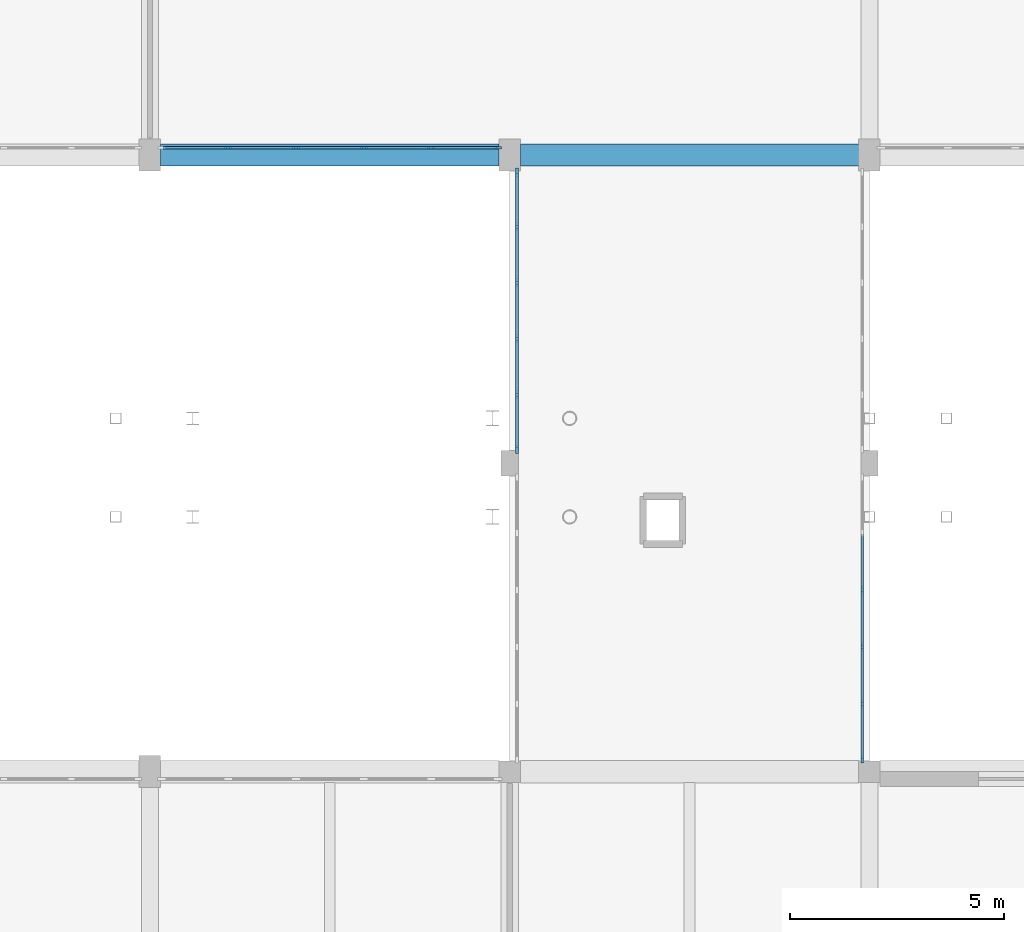
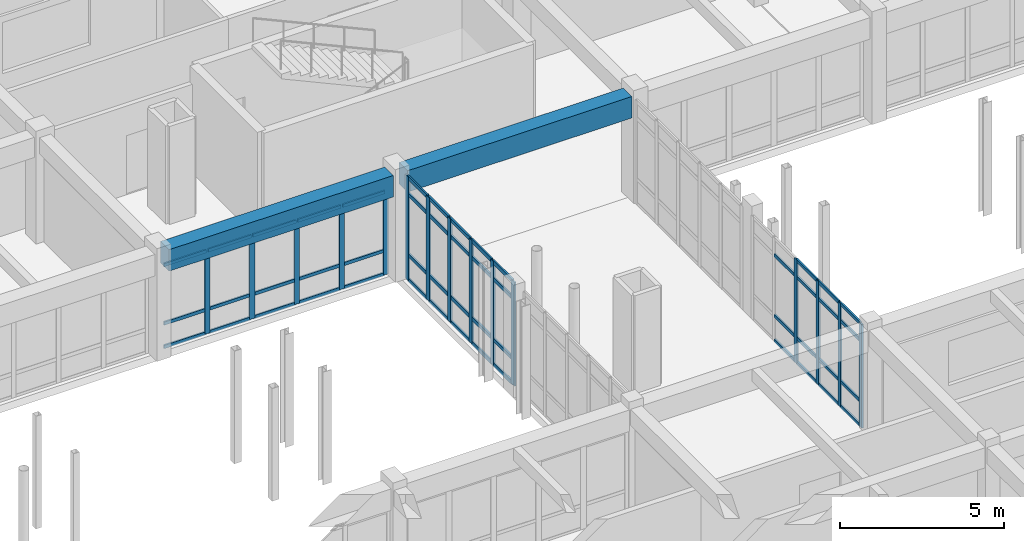
# One storey, part 65 of 147: 65 members, 2 beams, 3 elements without a shape of their own.
"""IFC4 building model written with IfcOpenShell, lengths in metres."""

from ifc_helpers import new_model, si_unit, direction, frame, origin, origin_2d, place, context, subcontext, project, spatial, rectangle, extrude, material, material_profile, profile_set, type_object, element, aggregate, save


model = new_model("IFC4")

# Units and contexts
model_context = context("Model", 3, precision=1e-05, world=origin(), true_north=direction((0.0, 1.0)))
body_context = subcontext(model_context, "Body", "Model", "MODEL_VIEW")
ifc_project = project(units=[si_unit("LENGTHUNIT", "METRE"), si_unit("AREAUNIT", "SQUARE_METRE"), si_unit("VOLUMEUNIT", "CUBIC_METRE"), si_unit("PLANEANGLEUNIT", "RADIAN"), si_unit("MASSUNIT", "GRAM", prefix="KILO")], contexts=[model_context])

# Site, building, storey
site_placement = place(None, origin())
site = spatial("IfcSite", under=ifc_project, at=site_placement, CompositionType="ELEMENT")
building_placement = place(site_placement, origin())
building = spatial("IfcBuilding", under=site, at=building_placement, Name="Malvenik Polytechnic", CompositionType="ELEMENT")
storey_placement = place(building_placement, frame((0.0, 0.0, 5.10009765625)))
storey = spatial("IfcBuildingStorey", under=building, at=storey_placement, Name="L01", CompositionType="ELEMENT", Elevation=5.10009765625)

# Curtain wall, members
ifc_material_1 = material(Name="Anodised aluminium 6060-T6", Category="aluminium")
curtain_wall_type_1 = type_object("IfcCurtainWallType", Name="ARC-CW-CW-04", PredefinedType="NOTDEFINED", material=ifc_material_1)
curtain_wall_1_placement = place(storey_placement, origin())
curtain_wall_1 = element("IfcCurtainWall", 1, at=curtain_wall_1_placement, inside=storey, type_object=curtain_wall_type_1, Name="Unitised Curtain Wall CW-04 L01 #83", PredefinedType="NOTDEFINED")
ifc_material_2 = material(Name="Anodised aluminium", Category="aluminium")
ifc_material_profile_1 = material_profile(ifc_material_2, rectangle(XDim=0.06005859375, YDim=0.159912109375, at=origin_2d()), Name="ALU MULLION 60x160")
ifc_profile_set_1 = profile_set([ifc_material_profile_1], Name="Anodised aluminium")
member_type_1 = type_object("IfcMemberType", Name="ARC-CWM-160", PredefinedType="MULLION", material=ifc_profile_set_1)
member_1_placement = place(storey_placement, frame((83.830078125, 69.040283203125, 0.0), z_axis=(0.0, 0.0, 1.0), x_axis=(1.0, 0.0, 0.0)))
member_1 = element("IfcMember", 2, at=member_1_placement, type_object=member_type_1, Name="CW-04 mullion 3", PredefinedType="MULLION", context=body_context, shape_type="SweptSolid", body=[
    extrude(rectangle(XDim=0.06005859375, YDim=0.159912109375, at=origin_2d()), origin(), (0.0, 0.0, 1.0), 3.85986328125),
])
member_2_placement = place(storey_placement, frame((83.830078125, 67.709716796875, 0.0), z_axis=(0.0, 0.0, 1.0), x_axis=(1.0, 0.0, 0.0)))
member_2 = element("IfcMember", 3, at=member_2_placement, type_object=member_type_1, Name="CW-04 mullion 4", PredefinedType="MULLION", context=body_context, shape_type="SweptSolid", body=[
    extrude(rectangle(XDim=0.06005859375, YDim=0.159912109375, at=origin_2d()), origin(), (0.0, 0.0, 1.0), 3.85986328125),
])
member_3_placement = place(storey_placement, frame((83.830078125, 66.37890625, 0.0), z_axis=(0.0, 0.0, 1.0), x_axis=(1.0, 0.0, 0.0)))
member_3 = element("IfcMember", 4, at=member_3_placement, type_object=member_type_1, Name="CW-04 mullion 5", PredefinedType="MULLION", context=body_context, shape_type="SweptSolid", body=[
    extrude(rectangle(XDim=0.06005859375, YDim=0.159912109375, at=origin_2d()), origin(), (0.0, 0.0, 1.0), 3.85986328125),
])
member_4_placement = place(storey_placement, frame((83.830078125, 65.077880859375, 0.0), z_axis=(0.0, 0.0, 1.0), x_axis=(1.0, 0.0, 0.0)))
member_4 = element("IfcMember", 5, at=member_4_placement, type_object=member_type_1, Name="CW-04 mullion 6", PredefinedType="MULLION", context=body_context, shape_type="SweptSolid", body=[
    extrude(rectangle(XDim=0.06005859375, YDim=0.159912109375, at=origin_2d()), origin(), (0.0, 0.0, 1.0), 3.85986328125),
])

curtain_wall_type_2 = type_object("IfcCurtainWallType", Name="ARC-CW-CW-02", PredefinedType="NOTDEFINED", material=ifc_material_1)
curtain_wall_2_placement = place(storey_placement, origin())
curtain_wall_2 = element("IfcCurtainWall", 6, at=curtain_wall_2_placement, inside=storey, type_object=curtain_wall_type_2, Name="Unitised Curtain Wall CW-02 L01 #25", PredefinedType="NOTDEFINED")
ifc_material_profile_2 = material_profile(ifc_material_2, rectangle(XDim=0.06005859375, YDim=0.179931640625, at=origin_2d()), Name="ALU MULLION 60x180")
ifc_profile_set_2 = profile_set([ifc_material_profile_2], Name="Anodised aluminium")
member_type_2 = type_object("IfcMemberType", Name="ARC-CWM-180", PredefinedType="MULLION", material=ifc_profile_set_2)
member_5_placement = place(storey_placement, frame((75.322021484375, 79.3701171875, 0.0), z_axis=(0.0, 0.0, 1.0), x_axis=(0.0, -1.0, 0.0)))
member_5 = element("IfcMember", 7, at=member_5_placement, type_object=member_type_2, Name="CW-02 mullion 1", PredefinedType="MULLION", context=body_context, shape_type="SweptSolid", body=[
    extrude(rectangle(XDim=0.06005859375, YDim=0.179931640625, at=origin_2d()), origin(), (0.0, 0.0, 1.0), 3.10986328125),
])
member_6_placement = place(storey_placement, frame((73.771240234375, 79.3701171875, 0.0), z_axis=(0.0, 0.0, 1.0), x_axis=(0.0, -1.0, 0.0)))
member_6 = element("IfcMember", 8, at=member_6_placement, type_object=member_type_2, Name="CW-02 mullion 2", PredefinedType="MULLION", context=body_context, shape_type="SweptSolid", body=[
    extrude(rectangle(XDim=0.06005859375, YDim=0.179931640625, at=origin_2d()), origin(), (0.0, 0.0, 1.0), 3.10986328125),
])
member_7_placement = place(storey_placement, frame((72.1904296875, 79.3701171875, 0.0), z_axis=(0.0, 0.0, 1.0), x_axis=(0.0, -1.0, 0.0)))
member_7 = element("IfcMember", 9, at=member_7_placement, type_object=member_type_2, Name="CW-02 mullion 3", PredefinedType="MULLION", context=body_context, shape_type="SweptSolid", body=[
    extrude(rectangle(XDim=0.06005859375, YDim=0.179931640625, at=origin_2d()), origin(), (0.0, 0.0, 1.0), 3.10986328125),
])
member_8_placement = place(storey_placement, frame((70.609619140625, 79.3701171875, 0.0), z_axis=(0.0, 0.0, 1.0), x_axis=(0.0, -1.0, 0.0)))
member_8 = element("IfcMember", 10, at=member_8_placement, type_object=member_type_2, Name="CW-02 mullion 4", PredefinedType="MULLION", context=body_context, shape_type="SweptSolid", body=[
    extrude(rectangle(XDim=0.06005859375, YDim=0.179931640625, at=origin_2d()), origin(), (0.0, 0.0, 1.0), 3.10986328125),
])
member_9_placement = place(storey_placement, frame((69.02880859375, 79.3701171875, 0.0), z_axis=(0.0, 0.0, 1.0), x_axis=(0.0, -1.0, 0.0)))
member_9 = element("IfcMember", 11, at=member_9_placement, type_object=member_type_2, Name="CW-02 mullion 5", PredefinedType="MULLION", context=body_context, shape_type="SweptSolid", body=[
    extrude(rectangle(XDim=0.06005859375, YDim=0.179931640625, at=origin_2d()), origin(), (0.0, 0.0, 1.0), 3.10986328125),
])

curtain_wall_3_placement = place(storey_placement, origin())
curtain_wall_3 = element("IfcCurtainWall", 12, at=curtain_wall_3_placement, inside=storey, type_object=curtain_wall_type_1, Name="Unitised Curtain Wall CW-04 L01 #24", PredefinedType="NOTDEFINED")
ifc_material_profile_3 = material_profile(ifc_material_2, rectangle(XDim=0.06005859375, YDim=0.199951171875, at=origin_2d()), Name="ALU MULLION 60x200")
ifc_profile_set_3 = profile_set([ifc_material_profile_3], Name="Anodised aluminium")
member_type_3 = type_object("IfcMemberType", Name="ARC-CWM-200", PredefinedType="MULLION", material=ifc_profile_set_3)
member_10_placement = place(storey_placement, frame((75.77001953125, 72.327880859375, 0.0), z_axis=(0.0, 0.0, 1.0), x_axis=(-1.0, 0.0, 0.0)))
member_10 = element("IfcMember", 13, at=member_10_placement, type_object=member_type_3, Name="CW-04 mullion 1", PredefinedType="MULLION", context=body_context, shape_type="SweptSolid", body=[
    extrude(rectangle(XDim=0.06005859375, YDim=0.199951171875, at=origin_2d()), origin(), (0.0, 0.0, 1.0), 3.85986328125),
])
member_11_placement = place(storey_placement, frame((75.77001953125, 73.603759765625, 0.0), z_axis=(0.0, 0.0, 1.0), x_axis=(-1.0, 0.0, 0.0)))
member_11 = element("IfcMember", 14, at=member_11_placement, type_object=member_type_3, Name="CW-04 mullion 2", PredefinedType="MULLION", context=body_context, shape_type="SweptSolid", body=[
    extrude(rectangle(XDim=0.06005859375, YDim=0.199951171875, at=origin_2d()), origin(), (0.0, 0.0, 1.0), 3.85986328125),
])
member_12_placement = place(storey_placement, frame((75.77001953125, 74.90966796875, 0.0), z_axis=(0.0, 0.0, 1.0), x_axis=(-1.0, 0.0, 0.0)))
member_12 = element("IfcMember", 15, at=member_12_placement, type_object=member_type_3, Name="CW-04 mullion 3", PredefinedType="MULLION", context=body_context, shape_type="SweptSolid", body=[
    extrude(rectangle(XDim=0.06005859375, YDim=0.199951171875, at=origin_2d()), origin(), (0.0, 0.0, 1.0), 3.85986328125),
])
member_13_placement = place(storey_placement, frame((75.77001953125, 76.21533203125, 0.0), z_axis=(0.0, 0.0, 1.0), x_axis=(-1.0, 0.0, 0.0)))
member_13 = element("IfcMember", 16, at=member_13_placement, type_object=member_type_3, Name="CW-04 mullion 4", PredefinedType="MULLION", context=body_context, shape_type="SweptSolid", body=[
    extrude(rectangle(XDim=0.06005859375, YDim=0.199951171875, at=origin_2d()), origin(), (0.0, 0.0, 1.0), 3.85986328125),
])
member_14_placement = place(storey_placement, frame((75.77001953125, 77.521240234375, 0.0), z_axis=(0.0, 0.0, 1.0), x_axis=(-1.0, 0.0, 0.0)))
member_14 = element("IfcMember", 17, at=member_14_placement, type_object=member_type_3, Name="CW-04 mullion 5", PredefinedType="MULLION", context=body_context, shape_type="SweptSolid", body=[
    extrude(rectangle(XDim=0.06005859375, YDim=0.199951171875, at=origin_2d()), origin(), (0.0, 0.0, 1.0), 3.85986328125),
])
member_15_placement = place(storey_placement, frame((75.77001953125, 78.797119140625, 0.0), z_axis=(0.0, 0.0, 1.0), x_axis=(-1.0, 0.0, 0.0)))
member_15 = element("IfcMember", 18, at=member_15_placement, type_object=member_type_3, Name="CW-04 mullion 6", PredefinedType="MULLION", context=body_context, shape_type="SweptSolid", body=[
    extrude(rectangle(XDim=0.06005859375, YDim=0.199951171875, at=origin_2d()), origin(), (0.0, 0.0, 1.0), 3.85986328125),
])

# Member
ifc_material_profile_4 = material_profile(ifc_material_2, rectangle(XDim=0.06005859375, YDim=0.1201171875, at=origin_2d()), Name="ALU TRANSOM 60x120")
ifc_profile_set_4 = profile_set([ifc_material_profile_4], Name="Anodised aluminium")
member_type_4 = type_object("IfcMemberType", Name="ARC-CWT-120", PredefinedType="USERDEFINED", material=ifc_profile_set_4)
member_16_placement = place(storey_placement, frame((75.2919921875, 79.3701171875, 0.02978515625), z_axis=(-1.0, 0.0, 0.0), x_axis=(0.0, -1.0, 0.0)))
member_16 = element("IfcMember", 19, at=member_16_placement, type_object=member_type_4, Name="CW-02 transom 1.1", ObjectType="TRANSOM", PredefinedType="USERDEFINED", context=body_context, shape_type="SweptSolid", body=[
    extrude(rectangle(XDim=0.06005859375, YDim=0.1201171875, at=origin_2d()), origin(), (0.0, 0.0, 1.0), 1.49072265625),
])

member_17_placement = place(storey_placement, frame((75.2919921875, 79.3701171875, 0.89990234375), z_axis=(-1.0, 0.0, 0.0), x_axis=(0.0, -1.0, 0.0)))
member_17 = element("IfcMember", 20, at=member_17_placement, type_object=member_type_4, Name="CW-02 transom 1.2", ObjectType="TRANSOM", PredefinedType="USERDEFINED", context=body_context, shape_type="SweptSolid", body=[
    extrude(rectangle(XDim=0.06005859375, YDim=0.1201171875, at=origin_2d()), origin(), (0.0, 0.0, 1.0), 1.49072265625),
])

member_18_placement = place(storey_placement, frame((75.2919921875, 79.3701171875, 3.079833984375), z_axis=(-1.0, 0.0, 0.0), x_axis=(0.0, -1.0, 0.0)))
member_18 = element("IfcMember", 21, at=member_18_placement, type_object=member_type_4, Name="CW-02 transom 1.3", ObjectType="TRANSOM", PredefinedType="USERDEFINED", context=body_context, shape_type="SweptSolid", body=[
    extrude(rectangle(XDim=0.06005859375, YDim=0.1201171875, at=origin_2d()), origin(), (0.0, 0.0, 1.0), 1.49072265625),
])

member_19_placement = place(storey_placement, frame((73.7412109375, 79.3701171875, 0.02978515625), z_axis=(-1.0, 0.0, 0.0), x_axis=(0.0, -1.0, 0.0)))
member_19 = element("IfcMember", 22, at=member_19_placement, type_object=member_type_4, Name="CW-02 transom 2.1", ObjectType="TRANSOM", PredefinedType="USERDEFINED", context=body_context, shape_type="SweptSolid", body=[
    extrude(rectangle(XDim=0.06005859375, YDim=0.1201171875, at=origin_2d()), origin(), (0.0, 0.0, 1.0), 1.520751953125),
])

member_20_placement = place(storey_placement, frame((73.7412109375, 79.3701171875, 0.89990234375), z_axis=(-1.0, 0.0, 0.0), x_axis=(0.0, -1.0, 0.0)))
member_20 = element("IfcMember", 23, at=member_20_placement, type_object=member_type_4, Name="CW-02 transom 2.2", ObjectType="TRANSOM", PredefinedType="USERDEFINED", context=body_context, shape_type="SweptSolid", body=[
    extrude(rectangle(XDim=0.06005859375, YDim=0.1201171875, at=origin_2d()), origin(), (0.0, 0.0, 1.0), 1.520751953125),
])

member_21_placement = place(storey_placement, frame((73.7412109375, 79.3701171875, 3.079833984375), z_axis=(-1.0, 0.0, 0.0), x_axis=(0.0, -1.0, 0.0)))
member_21 = element("IfcMember", 24, at=member_21_placement, type_object=member_type_4, Name="CW-02 transom 2.3", ObjectType="TRANSOM", PredefinedType="USERDEFINED", context=body_context, shape_type="SweptSolid", body=[
    extrude(rectangle(XDim=0.06005859375, YDim=0.1201171875, at=origin_2d()), origin(), (0.0, 0.0, 1.0), 1.520751953125),
])

member_22_placement = place(storey_placement, frame((72.160400390625, 79.3701171875, 0.02978515625), z_axis=(-1.0, 0.0, 0.0), x_axis=(0.0, -1.0, 0.0)))
member_22 = element("IfcMember", 25, at=member_22_placement, type_object=member_type_4, Name="CW-02 transom 3.1", ObjectType="TRANSOM", PredefinedType="USERDEFINED", context=body_context, shape_type="SweptSolid", body=[
    extrude(rectangle(XDim=0.06005859375, YDim=0.1201171875, at=origin_2d()), origin(), (0.0, 0.0, 1.0), 1.520751953125),
])

member_23_placement = place(storey_placement, frame((72.160400390625, 79.3701171875, 0.89990234375), z_axis=(-1.0, 0.0, 0.0), x_axis=(0.0, -1.0, 0.0)))
member_23 = element("IfcMember", 26, at=member_23_placement, type_object=member_type_4, Name="CW-02 transom 3.2", ObjectType="TRANSOM", PredefinedType="USERDEFINED", context=body_context, shape_type="SweptSolid", body=[
    extrude(rectangle(XDim=0.06005859375, YDim=0.1201171875, at=origin_2d()), origin(), (0.0, 0.0, 1.0), 1.520751953125),
])

member_24_placement = place(storey_placement, frame((72.160400390625, 79.3701171875, 3.079833984375), z_axis=(-1.0, 0.0, 0.0), x_axis=(0.0, -1.0, 0.0)))
member_24 = element("IfcMember", 27, at=member_24_placement, type_object=member_type_4, Name="CW-02 transom 3.3", ObjectType="TRANSOM", PredefinedType="USERDEFINED", context=body_context, shape_type="SweptSolid", body=[
    extrude(rectangle(XDim=0.06005859375, YDim=0.1201171875, at=origin_2d()), origin(), (0.0, 0.0, 1.0), 1.520751953125),
])

member_25_placement = place(storey_placement, frame((70.57958984375, 79.3701171875, 0.02978515625), z_axis=(-1.0, 0.0, 0.0), x_axis=(0.0, -1.0, 0.0)))
member_25 = element("IfcMember", 28, at=member_25_placement, type_object=member_type_4, Name="CW-02 transom 4.1", ObjectType="TRANSOM", PredefinedType="USERDEFINED", context=body_context, shape_type="SweptSolid", body=[
    extrude(rectangle(XDim=0.06005859375, YDim=0.1201171875, at=origin_2d()), origin(), (0.0, 0.0, 1.0), 1.520751953125),
])

member_26_placement = place(storey_placement, frame((70.57958984375, 79.3701171875, 0.89990234375), z_axis=(-1.0, 0.0, 0.0), x_axis=(0.0, -1.0, 0.0)))
member_26 = element("IfcMember", 29, at=member_26_placement, type_object=member_type_4, Name="CW-02 transom 4.2", ObjectType="TRANSOM", PredefinedType="USERDEFINED", context=body_context, shape_type="SweptSolid", body=[
    extrude(rectangle(XDim=0.06005859375, YDim=0.1201171875, at=origin_2d()), origin(), (0.0, 0.0, 1.0), 1.520751953125),
])

member_27_placement = place(storey_placement, frame((70.57958984375, 79.3701171875, 3.079833984375), z_axis=(-1.0, 0.0, 0.0), x_axis=(0.0, -1.0, 0.0)))
member_27 = element("IfcMember", 30, at=member_27_placement, type_object=member_type_4, Name="CW-02 transom 4.3", ObjectType="TRANSOM", PredefinedType="USERDEFINED", context=body_context, shape_type="SweptSolid", body=[
    extrude(rectangle(XDim=0.06005859375, YDim=0.1201171875, at=origin_2d()), origin(), (0.0, 0.0, 1.0), 1.520751953125),
])

member_28_placement = place(storey_placement, frame((68.998779296875, 79.3701171875, 0.02978515625), z_axis=(-1.0, 0.0, 0.0), x_axis=(0.0, -1.0, 0.0)))
member_28 = element("IfcMember", 31, at=member_28_placement, type_object=member_type_4, Name="CW-02 transom 5.1", ObjectType="TRANSOM", PredefinedType="USERDEFINED", context=body_context, shape_type="SweptSolid", body=[
    extrude(rectangle(XDim=0.06005859375, YDim=0.1201171875, at=origin_2d()), origin(), (0.0, 0.0, 1.0), 1.49072265625),
])

member_29_placement = place(storey_placement, frame((68.998779296875, 79.3701171875, 0.89990234375), z_axis=(-1.0, 0.0, 0.0), x_axis=(0.0, -1.0, 0.0)))
member_29 = element("IfcMember", 32, at=member_29_placement, type_object=member_type_4, Name="CW-02 transom 5.2", ObjectType="TRANSOM", PredefinedType="USERDEFINED", context=body_context, shape_type="SweptSolid", body=[
    extrude(rectangle(XDim=0.06005859375, YDim=0.1201171875, at=origin_2d()), origin(), (0.0, 0.0, 1.0), 1.49072265625),
])

member_30_placement = place(storey_placement, frame((68.998779296875, 79.3701171875, 3.079833984375), z_axis=(-1.0, 0.0, 0.0), x_axis=(0.0, -1.0, 0.0)))
member_30 = element("IfcMember", 33, at=member_30_placement, type_object=member_type_4, Name="CW-02 transom 5.3", ObjectType="TRANSOM", PredefinedType="USERDEFINED", context=body_context, shape_type="SweptSolid", body=[
    extrude(rectangle(XDim=0.06005859375, YDim=0.1201171875, at=origin_2d()), origin(), (0.0, 0.0, 1.0), 1.49072265625),
])

aggregate(curtain_wall_2, [member_5, member_6, member_7, member_8, member_9, member_16, member_17, member_18, member_19, member_20, member_21, member_22, member_23, member_24, member_25, member_26, member_27, member_28, member_29, member_30])

member_31_placement = place(storey_placement, frame((83.830078125, 70.34130859375, 0.02978515625), z_axis=(0.0, -1.0, 0.0), x_axis=(1.0, 0.0, 0.0)))
member_31 = element("IfcMember", 34, at=member_31_placement, type_object=member_type_4, Name="CW-04 transom 2.1", ObjectType="TRANSOM", PredefinedType="USERDEFINED", context=body_context, shape_type="SweptSolid", body=[
    extrude(rectangle(XDim=0.06005859375, YDim=0.1201171875, at=origin_2d()), origin(), (0.0, 0.0, 1.0), 1.27099609375),
])

member_32_placement = place(storey_placement, frame((83.830078125, 70.34130859375, 0.949951171875), z_axis=(0.0, -1.0, 0.0), x_axis=(1.0, 0.0, 0.0)))
member_32 = element("IfcMember", 35, at=member_32_placement, type_object=member_type_4, Name="CW-04 transom 2.2", ObjectType="TRANSOM", PredefinedType="USERDEFINED", context=body_context, shape_type="SweptSolid", body=[
    extrude(rectangle(XDim=0.06005859375, YDim=0.1201171875, at=origin_2d()), origin(), (0.0, 0.0, 1.0), 1.27099609375),
])

member_33_placement = place(storey_placement, frame((83.830078125, 70.34130859375, 3.2099609375), z_axis=(0.0, -1.0, 0.0), x_axis=(1.0, 0.0, 0.0)))
member_33 = element("IfcMember", 36, at=member_33_placement, type_object=member_type_4, Name="CW-04 transom 2.3", ObjectType="TRANSOM", PredefinedType="USERDEFINED", context=body_context, shape_type="SweptSolid", body=[
    extrude(rectangle(XDim=0.06005859375, YDim=0.1201171875, at=origin_2d()), origin(), (0.0, 0.0, 1.0), 1.27099609375),
])

member_34_placement = place(storey_placement, frame((83.830078125, 69.010498046875, 0.02978515625), z_axis=(0.0, -1.0, 0.0), x_axis=(1.0, 0.0, 0.0)))
member_34 = element("IfcMember", 37, at=member_34_placement, type_object=member_type_4, Name="CW-04 transom 3.1", ObjectType="TRANSOM", PredefinedType="USERDEFINED", context=body_context, shape_type="SweptSolid", body=[
    extrude(rectangle(XDim=0.06005859375, YDim=0.1201171875, at=origin_2d()), origin(), (0.0, 0.0, 1.0), 1.27099609375),
])

member_35_placement = place(storey_placement, frame((83.830078125, 69.010498046875, 0.949951171875), z_axis=(0.0, -1.0, 0.0), x_axis=(1.0, 0.0, 0.0)))
member_35 = element("IfcMember", 38, at=member_35_placement, type_object=member_type_4, Name="CW-04 transom 3.2", ObjectType="TRANSOM", PredefinedType="USERDEFINED", context=body_context, shape_type="SweptSolid", body=[
    extrude(rectangle(XDim=0.06005859375, YDim=0.1201171875, at=origin_2d()), origin(), (0.0, 0.0, 1.0), 1.27099609375),
])

member_36_placement = place(storey_placement, frame((83.830078125, 69.010498046875, 3.2099609375), z_axis=(0.0, -1.0, 0.0), x_axis=(1.0, 0.0, 0.0)))
member_36 = element("IfcMember", 39, at=member_36_placement, type_object=member_type_4, Name="CW-04 transom 3.3", ObjectType="TRANSOM", PredefinedType="USERDEFINED", context=body_context, shape_type="SweptSolid", body=[
    extrude(rectangle(XDim=0.06005859375, YDim=0.1201171875, at=origin_2d()), origin(), (0.0, 0.0, 1.0), 1.27099609375),
])

member_37_placement = place(storey_placement, frame((83.830078125, 69.010498046875, 3.829833984375), z_axis=(0.0, -1.0, 0.0), x_axis=(1.0, 0.0, 0.0)))
member_37 = element("IfcMember", 40, at=member_37_placement, type_object=member_type_4, Name="CW-04 transom 3.4", ObjectType="TRANSOM", PredefinedType="USERDEFINED", context=body_context, shape_type="SweptSolid", body=[
    extrude(rectangle(XDim=0.06005859375, YDim=0.1201171875, at=origin_2d()), origin(), (0.0, 0.0, 1.0), 1.27099609375),
])

member_38_placement = place(storey_placement, frame((83.830078125, 67.6796875, 0.02978515625), z_axis=(0.0, -1.0, 0.0), x_axis=(1.0, 0.0, 0.0)))
member_38 = element("IfcMember", 41, at=member_38_placement, type_object=member_type_4, Name="CW-04 transom 4.1", ObjectType="TRANSOM", PredefinedType="USERDEFINED", context=body_context, shape_type="SweptSolid", body=[
    extrude(rectangle(XDim=0.06005859375, YDim=0.1201171875, at=origin_2d()), origin(), (0.0, 0.0, 1.0), 1.27099609375),
])

member_39_placement = place(storey_placement, frame((83.830078125, 67.6796875, 0.949951171875), z_axis=(0.0, -1.0, 0.0), x_axis=(1.0, 0.0, 0.0)))
member_39 = element("IfcMember", 42, at=member_39_placement, type_object=member_type_4, Name="CW-04 transom 4.2", ObjectType="TRANSOM", PredefinedType="USERDEFINED", context=body_context, shape_type="SweptSolid", body=[
    extrude(rectangle(XDim=0.06005859375, YDim=0.1201171875, at=origin_2d()), origin(), (0.0, 0.0, 1.0), 1.27099609375),
])

member_40_placement = place(storey_placement, frame((83.830078125, 67.6796875, 3.2099609375), z_axis=(0.0, -1.0, 0.0), x_axis=(1.0, 0.0, 0.0)))
member_40 = element("IfcMember", 43, at=member_40_placement, type_object=member_type_4, Name="CW-04 transom 4.3", ObjectType="TRANSOM", PredefinedType="USERDEFINED", context=body_context, shape_type="SweptSolid", body=[
    extrude(rectangle(XDim=0.06005859375, YDim=0.1201171875, at=origin_2d()), origin(), (0.0, 0.0, 1.0), 1.27099609375),
])

member_41_placement = place(storey_placement, frame((83.830078125, 67.6796875, 3.829833984375), z_axis=(0.0, -1.0, 0.0), x_axis=(1.0, 0.0, 0.0)))
member_41 = element("IfcMember", 44, at=member_41_placement, type_object=member_type_4, Name="CW-04 transom 4.4", ObjectType="TRANSOM", PredefinedType="USERDEFINED", context=body_context, shape_type="SweptSolid", body=[
    extrude(rectangle(XDim=0.06005859375, YDim=0.1201171875, at=origin_2d()), origin(), (0.0, 0.0, 1.0), 1.27099609375),
])

member_42_placement = place(storey_placement, frame((83.830078125, 66.348876953125, 0.02978515625), z_axis=(0.0, -1.0, 0.0), x_axis=(1.0, 0.0, 0.0)))
member_42 = element("IfcMember", 45, at=member_42_placement, type_object=member_type_4, Name="CW-04 transom 5.1", ObjectType="TRANSOM", PredefinedType="USERDEFINED", context=body_context, shape_type="SweptSolid", body=[
    extrude(rectangle(XDim=0.06005859375, YDim=0.1201171875, at=origin_2d()), origin(), (0.0, 0.0, 1.0), 1.240966796875),
])

member_43_placement = place(storey_placement, frame((83.830078125, 66.348876953125, 0.949951171875), z_axis=(0.0, -1.0, 0.0), x_axis=(1.0, 0.0, 0.0)))
member_43 = element("IfcMember", 46, at=member_43_placement, type_object=member_type_4, Name="CW-04 transom 5.2", ObjectType="TRANSOM", PredefinedType="USERDEFINED", context=body_context, shape_type="SweptSolid", body=[
    extrude(rectangle(XDim=0.06005859375, YDim=0.1201171875, at=origin_2d()), origin(), (0.0, 0.0, 1.0), 1.240966796875),
])

member_44_placement = place(storey_placement, frame((83.830078125, 66.348876953125, 3.2099609375), z_axis=(0.0, -1.0, 0.0), x_axis=(1.0, 0.0, 0.0)))
member_44 = element("IfcMember", 47, at=member_44_placement, type_object=member_type_4, Name="CW-04 transom 5.3", ObjectType="TRANSOM", PredefinedType="USERDEFINED", context=body_context, shape_type="SweptSolid", body=[
    extrude(rectangle(XDim=0.06005859375, YDim=0.1201171875, at=origin_2d()), origin(), (0.0, 0.0, 1.0), 1.240966796875),
])

member_45_placement = place(storey_placement, frame((83.830078125, 66.348876953125, 3.829833984375), z_axis=(0.0, -1.0, 0.0), x_axis=(1.0, 0.0, 0.0)))
member_45 = element("IfcMember", 48, at=member_45_placement, type_object=member_type_4, Name="CW-04 transom 5.4", ObjectType="TRANSOM", PredefinedType="USERDEFINED", context=body_context, shape_type="SweptSolid", body=[
    extrude(rectangle(XDim=0.06005859375, YDim=0.1201171875, at=origin_2d()), origin(), (0.0, 0.0, 1.0), 1.240966796875),
])

aggregate(curtain_wall_1, [member_1, member_2, member_3, member_4, member_31, member_32, member_33, member_34, member_35, member_36, member_37, member_38, member_39, member_40, member_41, member_42, member_43, member_44, member_45])

ifc_material_profile_5 = material_profile(ifc_material_2, rectangle(XDim=0.06005859375, YDim=0.139892578125, at=origin_2d()), Name="ALU TRANSOM 60x140")
ifc_profile_set_5 = profile_set([ifc_material_profile_5], Name="Anodised aluminium")
member_type_5 = type_object("IfcMemberType", Name="ARC-CWT-140", PredefinedType="USERDEFINED", material=ifc_profile_set_5)
member_46_placement = place(storey_placement, frame((75.77001953125, 72.35791015625, 0.02978515625), z_axis=(0.0, 1.0, 0.0), x_axis=(-1.0, 0.0, 0.0)))
member_46 = element("IfcMember", 49, at=member_46_placement, type_object=member_type_5, Name="CW-04 transom 1.1", ObjectType="TRANSOM", PredefinedType="USERDEFINED", context=body_context, shape_type="SweptSolid", body=[
    extrude(rectangle(XDim=0.06005859375, YDim=0.139892578125, at=origin_2d()), origin(), (0.0, 0.0, 1.0), 1.2158203125),
])

member_47_placement = place(storey_placement, frame((75.77001953125, 72.35791015625, 0.949951171875), z_axis=(0.0, 1.0, 0.0), x_axis=(-1.0, 0.0, 0.0)))
member_47 = element("IfcMember", 50, at=member_47_placement, type_object=member_type_5, Name="CW-04 transom 1.2", ObjectType="TRANSOM", PredefinedType="USERDEFINED", context=body_context, shape_type="SweptSolid", body=[
    extrude(rectangle(XDim=0.06005859375, YDim=0.139892578125, at=origin_2d()), origin(), (0.0, 0.0, 1.0), 1.2158203125),
])

member_48_placement = place(storey_placement, frame((75.77001953125, 72.35791015625, 3.2099609375), z_axis=(0.0, 1.0, 0.0), x_axis=(-1.0, 0.0, 0.0)))
member_48 = element("IfcMember", 51, at=member_48_placement, type_object=member_type_5, Name="CW-04 transom 1.3", ObjectType="TRANSOM", PredefinedType="USERDEFINED", context=body_context, shape_type="SweptSolid", body=[
    extrude(rectangle(XDim=0.06005859375, YDim=0.139892578125, at=origin_2d()), origin(), (0.0, 0.0, 1.0), 1.2158203125),
])

member_49_placement = place(storey_placement, frame((75.77001953125, 72.35791015625, 3.829833984375), z_axis=(0.0, 1.0, 0.0), x_axis=(-1.0, 0.0, 0.0)))
member_49 = element("IfcMember", 52, at=member_49_placement, type_object=member_type_5, Name="CW-04 transom 1.4", ObjectType="TRANSOM", PredefinedType="USERDEFINED", context=body_context, shape_type="SweptSolid", body=[
    extrude(rectangle(XDim=0.06005859375, YDim=0.139892578125, at=origin_2d()), origin(), (0.0, 0.0, 1.0), 1.2158203125),
])

member_50_placement = place(storey_placement, frame((75.77001953125, 73.6337890625, 0.02978515625), z_axis=(0.0, 1.0, 0.0), x_axis=(-1.0, 0.0, 0.0)))
member_50 = element("IfcMember", 53, at=member_50_placement, type_object=member_type_5, Name="CW-04 transom 2.1", ObjectType="TRANSOM", PredefinedType="USERDEFINED", context=body_context, shape_type="SweptSolid", body=[
    extrude(rectangle(XDim=0.06005859375, YDim=0.139892578125, at=origin_2d()), origin(), (0.0, 0.0, 1.0), 1.245849609375),
])

member_51_placement = place(storey_placement, frame((75.77001953125, 73.6337890625, 0.949951171875), z_axis=(0.0, 1.0, 0.0), x_axis=(-1.0, 0.0, 0.0)))
member_51 = element("IfcMember", 54, at=member_51_placement, type_object=member_type_5, Name="CW-04 transom 2.2", ObjectType="TRANSOM", PredefinedType="USERDEFINED", context=body_context, shape_type="SweptSolid", body=[
    extrude(rectangle(XDim=0.06005859375, YDim=0.139892578125, at=origin_2d()), origin(), (0.0, 0.0, 1.0), 1.245849609375),
])

member_52_placement = place(storey_placement, frame((75.77001953125, 73.6337890625, 3.2099609375), z_axis=(0.0, 1.0, 0.0), x_axis=(-1.0, 0.0, 0.0)))
member_52 = element("IfcMember", 55, at=member_52_placement, type_object=member_type_5, Name="CW-04 transom 2.3", ObjectType="TRANSOM", PredefinedType="USERDEFINED", context=body_context, shape_type="SweptSolid", body=[
    extrude(rectangle(XDim=0.06005859375, YDim=0.139892578125, at=origin_2d()), origin(), (0.0, 0.0, 1.0), 1.245849609375),
])

member_53_placement = place(storey_placement, frame((75.77001953125, 73.6337890625, 3.829833984375), z_axis=(0.0, 1.0, 0.0), x_axis=(-1.0, 0.0, 0.0)))
member_53 = element("IfcMember", 56, at=member_53_placement, type_object=member_type_5, Name="CW-04 transom 2.4", ObjectType="TRANSOM", PredefinedType="USERDEFINED", context=body_context, shape_type="SweptSolid", body=[
    extrude(rectangle(XDim=0.06005859375, YDim=0.139892578125, at=origin_2d()), origin(), (0.0, 0.0, 1.0), 1.245849609375),
])

member_54_placement = place(storey_placement, frame((75.77001953125, 74.939697265625, 0.02978515625), z_axis=(0.0, 1.0, 0.0), x_axis=(-1.0, 0.0, 0.0)))
member_54 = element("IfcMember", 57, at=member_54_placement, type_object=member_type_5, Name="CW-04 transom 3.1", ObjectType="TRANSOM", PredefinedType="USERDEFINED", context=body_context, shape_type="SweptSolid", body=[
    extrude(rectangle(XDim=0.06005859375, YDim=0.139892578125, at=origin_2d()), origin(), (0.0, 0.0, 1.0), 1.24560546875),
])

member_55_placement = place(storey_placement, frame((75.77001953125, 74.939697265625, 0.949951171875), z_axis=(0.0, 1.0, 0.0), x_axis=(-1.0, 0.0, 0.0)))
member_55 = element("IfcMember", 58, at=member_55_placement, type_object=member_type_5, Name="CW-04 transom 3.2", ObjectType="TRANSOM", PredefinedType="USERDEFINED", context=body_context, shape_type="SweptSolid", body=[
    extrude(rectangle(XDim=0.06005859375, YDim=0.139892578125, at=origin_2d()), origin(), (0.0, 0.0, 1.0), 1.24560546875),
])

member_56_placement = place(storey_placement, frame((75.77001953125, 74.939697265625, 3.2099609375), z_axis=(0.0, 1.0, 0.0), x_axis=(-1.0, 0.0, 0.0)))
member_56 = element("IfcMember", 59, at=member_56_placement, type_object=member_type_5, Name="CW-04 transom 3.3", ObjectType="TRANSOM", PredefinedType="USERDEFINED", context=body_context, shape_type="SweptSolid", body=[
    extrude(rectangle(XDim=0.06005859375, YDim=0.139892578125, at=origin_2d()), origin(), (0.0, 0.0, 1.0), 1.24560546875),
])

member_57_placement = place(storey_placement, frame((75.77001953125, 74.939697265625, 3.829833984375), z_axis=(0.0, 1.0, 0.0), x_axis=(-1.0, 0.0, 0.0)))
member_57 = element("IfcMember", 60, at=member_57_placement, type_object=member_type_5, Name="CW-04 transom 3.4", ObjectType="TRANSOM", PredefinedType="USERDEFINED", context=body_context, shape_type="SweptSolid", body=[
    extrude(rectangle(XDim=0.06005859375, YDim=0.139892578125, at=origin_2d()), origin(), (0.0, 0.0, 1.0), 1.24560546875),
])

member_58_placement = place(storey_placement, frame((75.77001953125, 76.245361328125, 0.02978515625), z_axis=(0.0, 1.0, 0.0), x_axis=(-1.0, 0.0, 0.0)))
member_58 = element("IfcMember", 61, at=member_58_placement, type_object=member_type_5, Name="CW-04 transom 4.1", ObjectType="TRANSOM", PredefinedType="USERDEFINED", context=body_context, shape_type="SweptSolid", body=[
    extrude(rectangle(XDim=0.06005859375, YDim=0.139892578125, at=origin_2d()), origin(), (0.0, 0.0, 1.0), 1.245849609375),
])

member_59_placement = place(storey_placement, frame((75.77001953125, 76.245361328125, 0.949951171875), z_axis=(0.0, 1.0, 0.0), x_axis=(-1.0, 0.0, 0.0)))
member_59 = element("IfcMember", 62, at=member_59_placement, type_object=member_type_5, Name="CW-04 transom 4.2", ObjectType="TRANSOM", PredefinedType="USERDEFINED", context=body_context, shape_type="SweptSolid", body=[
    extrude(rectangle(XDim=0.06005859375, YDim=0.139892578125, at=origin_2d()), origin(), (0.0, 0.0, 1.0), 1.245849609375),
])

member_60_placement = place(storey_placement, frame((75.77001953125, 76.245361328125, 3.2099609375), z_axis=(0.0, 1.0, 0.0), x_axis=(-1.0, 0.0, 0.0)))
member_60 = element("IfcMember", 63, at=member_60_placement, type_object=member_type_5, Name="CW-04 transom 4.3", ObjectType="TRANSOM", PredefinedType="USERDEFINED", context=body_context, shape_type="SweptSolid", body=[
    extrude(rectangle(XDim=0.06005859375, YDim=0.139892578125, at=origin_2d()), origin(), (0.0, 0.0, 1.0), 1.245849609375),
])

member_61_placement = place(storey_placement, frame((75.77001953125, 76.245361328125, 3.829833984375), z_axis=(0.0, 1.0, 0.0), x_axis=(-1.0, 0.0, 0.0)))
member_61 = element("IfcMember", 64, at=member_61_placement, type_object=member_type_5, Name="CW-04 transom 4.4", ObjectType="TRANSOM", PredefinedType="USERDEFINED", context=body_context, shape_type="SweptSolid", body=[
    extrude(rectangle(XDim=0.06005859375, YDim=0.139892578125, at=origin_2d()), origin(), (0.0, 0.0, 1.0), 1.245849609375),
])

member_62_placement = place(storey_placement, frame((75.77001953125, 77.55126953125, 0.02978515625), z_axis=(0.0, 1.0, 0.0), x_axis=(-1.0, 0.0, 0.0)))
member_62 = element("IfcMember", 65, at=member_62_placement, type_object=member_type_5, Name="CW-04 transom 5.1", ObjectType="TRANSOM", PredefinedType="USERDEFINED", context=body_context, shape_type="SweptSolid", body=[
    extrude(rectangle(XDim=0.06005859375, YDim=0.139892578125, at=origin_2d()), origin(), (0.0, 0.0, 1.0), 1.2158203125),
])

member_63_placement = place(storey_placement, frame((75.77001953125, 77.55126953125, 0.949951171875), z_axis=(0.0, 1.0, 0.0), x_axis=(-1.0, 0.0, 0.0)))
member_63 = element("IfcMember", 66, at=member_63_placement, type_object=member_type_5, Name="CW-04 transom 5.2", ObjectType="TRANSOM", PredefinedType="USERDEFINED", context=body_context, shape_type="SweptSolid", body=[
    extrude(rectangle(XDim=0.06005859375, YDim=0.139892578125, at=origin_2d()), origin(), (0.0, 0.0, 1.0), 1.2158203125),
])

member_64_placement = place(storey_placement, frame((75.77001953125, 77.55126953125, 3.2099609375), z_axis=(0.0, 1.0, 0.0), x_axis=(-1.0, 0.0, 0.0)))
member_64 = element("IfcMember", 67, at=member_64_placement, type_object=member_type_5, Name="CW-04 transom 5.3", ObjectType="TRANSOM", PredefinedType="USERDEFINED", context=body_context, shape_type="SweptSolid", body=[
    extrude(rectangle(XDim=0.06005859375, YDim=0.139892578125, at=origin_2d()), origin(), (0.0, 0.0, 1.0), 1.2158203125),
])

member_65_placement = place(storey_placement, frame((75.77001953125, 77.55126953125, 3.829833984375), z_axis=(0.0, 1.0, 0.0), x_axis=(-1.0, 0.0, 0.0)))
member_65 = element("IfcMember", 68, at=member_65_placement, type_object=member_type_5, Name="CW-04 transom 5.4", ObjectType="TRANSOM", PredefinedType="USERDEFINED", context=body_context, shape_type="SweptSolid", body=[
    extrude(rectangle(XDim=0.06005859375, YDim=0.139892578125, at=origin_2d()), origin(), (0.0, 0.0, 1.0), 1.2158203125),
])

aggregate(curtain_wall_3, [member_10, member_11, member_12, member_13, member_14, member_15, member_46, member_47, member_48, member_49, member_50, member_51, member_52, member_53, member_54, member_55, member_56, member_57, member_58, member_59, member_60, member_61, member_62, member_63, member_64, member_65])

# Beams
ifc_material_3 = material(Name="Precast concrete C40/50", Category="concrete")
ifc_material_profile_6 = material_profile(ifc_material_3, rectangle(XDim=0.52001953125, YDim=0.800048828125, at=origin_2d()), Name="PC SPN 520x800")
ifc_profile_set_6 = profile_set([ifc_material_profile_6], Name="Precast concrete C40/50")
beam_type = type_object("IfcBeamType", Name="STR-BM-SP-01", PredefinedType="SPANDREL", material=ifc_profile_set_6)
for number, where, z_axis, x_axis, name in (
    (69, (67.447998046875, 79.199951171875, 3.52001953125), (1.0, 0.0, 0.0), (0.0, 1.0, 0.0), "Primary Beam SP-01 L01 #1049"),
    (70, (75.847900390625, 79.199951171875, 3.52001953125), (1.0, 0.0, 0.0), (0.0, 1.0, 0.0), "Primary Beam SP-01 L01 #1050"),
):
    element("IfcBeam", number, at=place(storey_placement, frame(where, z_axis=z_axis, x_axis=x_axis)), inside=storey, type_object=beam_type, Name=name, PredefinedType="SPANDREL", context=body_context, shape_type="SweptSolid", body=[
        extrude(rectangle(XDim=0.52001953125, YDim=0.800048828125, at=origin_2d()), origin(), (0.0, 0.0, 1.0), 7.904052734375),
    ])

save(model, "model.ifc")
